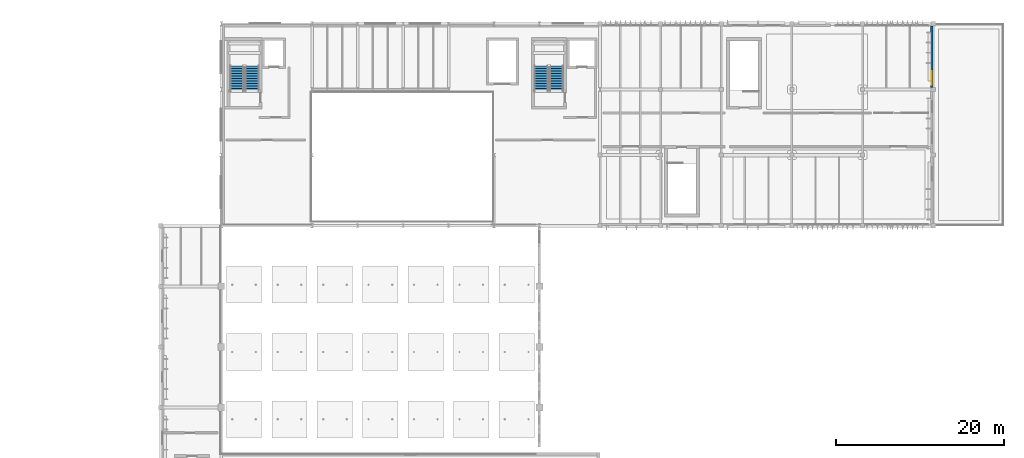
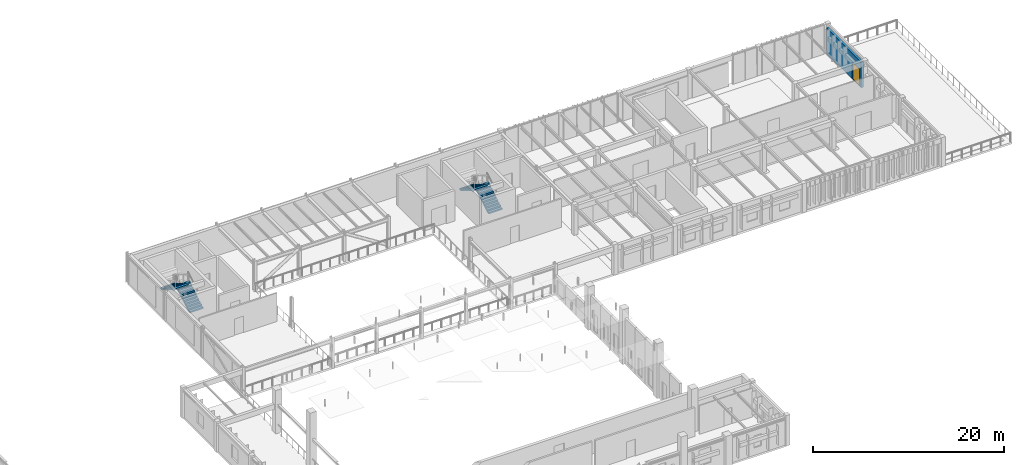
# One storey, part 24 of 44: 4 stair flights, 1 door, 1 wall, 1 opening, 2 elements without a shape of their own.
"""IFC4 building model written with IfcOpenShell, lengths in metres."""

from ifc_helpers import new_model, si_unit, direction, frame, frame_2d, origin, place, context, subcontext, project, spatial, polyline, rectangle, outline, extrude, material, layer, layer_set, type_object, element, fill, aggregate, save


model = new_model("IFC4")

# Units and contexts
model_context = context("Model", 3, precision=1e-05, world=origin(), true_north=direction((0.0, 1.0)))
body_context = subcontext(model_context, "Body", "Model", "MODEL_VIEW")
ifc_project = project(units=[si_unit("LENGTHUNIT", "METRE"), si_unit("AREAUNIT", "SQUARE_METRE"), si_unit("VOLUMEUNIT", "CUBIC_METRE"), si_unit("PLANEANGLEUNIT", "RADIAN"), si_unit("MASSUNIT", "GRAM", prefix="KILO")], contexts=[model_context])

# Site, building, storey
site_placement = place(None, origin())
site = spatial("IfcSite", under=ifc_project, at=site_placement, CompositionType="ELEMENT")
building_placement = place(site_placement, origin())
building = spatial("IfcBuilding", under=site, at=building_placement, Name="Tazoul Stagehouse", CompositionType="ELEMENT")
storey_placement = place(building_placement, frame((0.0, 0.0, 13.199951171875)))
storey = spatial("IfcBuildingStorey", under=building, at=storey_placement, Name="L03", CompositionType="ELEMENT", Elevation=13.199951171875)

# Wall, opening, door
ifc_material_1 = material(Name="Precast concrete C40/50", Category="concrete")
ifc_layer = layer(ifc_material_1, 0.280029296875, Name="Precast concrete C40/50")
ifc_layer_set = layer_set([ifc_layer], Name="Precast concrete C40/50")
wall_type = type_object("IfcWallType", Name="Insulated Precast Acoustic Cladding Wall 280", PredefinedType="SOLIDWALL", material=ifc_layer_set)
wall_placement = place(storey_placement, frame((142.02001953125, 104.2548828125, 0.0), z_axis=(0.0, 0.0, 1.0), x_axis=(0.0, 1.0, 0.0)))
wall = element("IfcWall", 1, at=wall_placement, inside=storey, type_object=wall_type, Name="L03 Wall EW-280 (WALL-V3-E-L03-S3)", PredefinedType="SOLIDWALL", context=body_context, shape_type="SweptSolid", body=[
    extrude(rectangle(XDim=7.2900390625, YDim=0.280029296875, at=frame_2d((3.64501953125, 0.0))), origin(), (0.0, 0.0, 1.0), 3.282958984375),
])
opening_placement = place(wall_placement, frame((0.294921875, 0.0, 0.0)))
opening = element("IfcOpeningElement", 2, at=opening_placement, cuts=wall, Name="Opening TD-03", PredefinedType="OPENING", context=body_context, shape_type="SweptSolid", body=[
    extrude(rectangle(XDim=1.60009765625, YDim=2.199951171875, at=frame_2d((0.800048828125, 1.10009765625))), frame((0.0, 0.159912109375, 0.0), z_axis=(0.0, -1.0, 0.0), x_axis=(1.0, 0.0, 0.0)), (0.0, 0.0, 1.0), 0.320068359375),
])
ifc_material_2 = material(Name="Double Low-E Acoustic Laminated Glass", Category="glass")
door_type = type_object("IfcDoorType", Name="Rehearsal Terrace Glazed Door 1600x2200", OperationType="DOUBLE_DOOR_SINGLE_SWING", PredefinedType="DOOR", material=ifc_material_2)
door_placement = place(opening_placement, origin())
door = element("IfcDoor", 3, at=door_placement, inside=storey, type_object=door_type, Name="L03 Door TD-03 (DR-V3-L03-TER2)", OperationType="SINGLE_SWING_LEFT", OverallHeight=2.199951171875, OverallWidth=1.60009765625, PredefinedType="DOOR", context=body_context, shape_type="SweptSolid", body=[
    extrude(rectangle(XDim=1.60009765625, YDim=2.199951171875, at=frame_2d((0.800048828125, 1.10009765625))), frame((0.0, 0.02490234375, 0.0), z_axis=(0.0, -1.0, 0.0), x_axis=(1.0, 0.0, 0.0)), (0.0, 0.0, 1.0), 0.050048828125),
])
fill(opening, door)

# Stair, stair flights
ifc_material_3 = material(Name="Concrete C40/50", Category="concrete")
stair_type_1 = type_object("IfcStairType", Name="Protected Core Dogleg Stair 4800", PredefinedType="HALF_TURN_STAIR", material=ifc_material_3)
stair_1_placement = place(storey_placement, origin())
stair_1 = element("IfcStair", 4, at=stair_1_placement, inside=storey, type_object=stair_type_1, Name="L03 Core Escape Stair ST-01", PredefinedType="HALF_TURN_STAIR")
stair_flight_type = type_object("IfcStairFlightType", Name="Core Stair Flight W1650", PredefinedType="STRAIGHT", material=ifc_material_3)
stair_flight_1_placement = place(storey_placement, frame((97.425048828125, 103.800048828125, 0.0), z_axis=(0.0, 0.0, 1.0), x_axis=(0.0, 1.0, 0.0)))
stair_flight_1 = element("IfcStairFlight", 5, at=stair_flight_1_placement, type_object=stair_flight_type, Name="ST-01 flight 1", NumberOfRisers=11, NumberOfTreads=10, PredefinedType="STRAIGHT", RiserHeight=0.177272727, TreadLength=0.3, context=body_context, shape_type="SweptSolid", body=[
    extrude(outline(polyline([(0.0, 0.0), (0.0, 0.17724609375), (0.300048828125, 0.17724609375), (0.300048828125, 0.3544921875), (0.60009765625, 0.3544921875), (0.60009765625, 0.53173828125), (0.89990234375, 0.53173828125), (0.89990234375, 0.708984375), (1.199951171875, 0.708984375), (1.199951171875, 0.886474609375), (1.5, 0.886474609375), (1.5, 1.063720703125), (1.800048828125, 1.063720703125), (1.800048828125, 1.240966796875), (2.10009765625, 1.240966796875), (2.10009765625, 1.418212890625), (2.39990234375, 1.418212890625), (2.39990234375, 1.595458984375), (2.699951171875, 1.595458984375), (2.699951171875, 1.772705078125), (3.0, 1.772705078125), (3.0, 1.949951171875), (3.0, 1.5986328125), (0.294677734375, 0.0), (0.0, 0.0)])), frame((0.0, 0.824951171875, 0.0), z_axis=(0.0, -1.0, 0.0), x_axis=(1.0, 0.0, 0.0)), (0.0, 0.0, 1.0), 1.64990234375),
])
stair_flight_2_placement = place(storey_placement, frame((95.625, 106.800048828125, 1.949951171875), z_axis=(0.0, 0.0, 1.0), x_axis=(0.0, -1.0, 0.0)))
stair_flight_2 = element("IfcStairFlight", 6, at=stair_flight_2_placement, type_object=stair_flight_type, Name="ST-01 flight 2", NumberOfRisers=11, NumberOfTreads=10, PredefinedType="STRAIGHT", RiserHeight=0.177272727, TreadLength=0.3, context=body_context, shape_type="SweptSolid", body=[
    extrude(outline(polyline([(0.0, 0.0), (0.0, 0.17724609375), (0.300048828125, 0.17724609375), (0.300048828125, 0.3544921875), (0.60009765625, 0.3544921875), (0.60009765625, 0.53173828125), (0.89990234375, 0.53173828125), (0.89990234375, 0.708984375), (1.199951171875, 0.708984375), (1.199951171875, 0.886474609375), (1.5, 0.886474609375), (1.5, 1.063720703125), (1.800048828125, 1.063720703125), (1.800048828125, 1.240966796875), (2.10009765625, 1.240966796875), (2.10009765625, 1.418212890625), (2.39990234375, 1.418212890625), (2.39990234375, 1.595458984375), (2.699951171875, 1.595458984375), (2.699951171875, 1.772705078125), (3.0, 1.772705078125), (3.0, 1.949951171875), (3.0, 1.5986328125), (0.294677734375, 0.0), (0.0, 0.0)])), frame((0.0, 0.824951171875, 0.0), z_axis=(0.0, -1.0, 0.0), x_axis=(1.0, 0.0, 0.0)), (0.0, 0.0, 1.0), 1.64990234375),
])
aggregate(stair_1, [stair_flight_1, stair_flight_2])

stair_type_2 = type_object("IfcStairType", Name="Protected Core Dogleg Stair 3900", PredefinedType="HALF_TURN_STAIR", material=ifc_material_3)
stair_2_placement = place(storey_placement, origin())
stair_2 = element("IfcStair", 7, at=stair_2_placement, inside=storey, type_object=stair_type_2, Name="L03 Core Escape Stair ST-03", PredefinedType="HALF_TURN_STAIR")
stair_flight_3_placement = place(storey_placement, frame((61.27490234375, 103.800048828125, 0.0), z_axis=(0.0, 0.0, 1.0), x_axis=(0.0, 1.0, 0.0)))
stair_flight_3 = element("IfcStairFlight", 8, at=stair_flight_3_placement, type_object=stair_flight_type, Name="ST-03 flight 1", NumberOfRisers=11, NumberOfTreads=10, PredefinedType="STRAIGHT", RiserHeight=0.177272727, TreadLength=0.3, context=body_context, shape_type="SweptSolid", body=[
    extrude(outline(polyline([(0.0, 0.0), (0.0, 0.17724609375), (0.300048828125, 0.17724609375), (0.300048828125, 0.3544921875), (0.60009765625, 0.3544921875), (0.60009765625, 0.53173828125), (0.89990234375, 0.53173828125), (0.89990234375, 0.708984375), (1.199951171875, 0.708984375), (1.199951171875, 0.886474609375), (1.5, 0.886474609375), (1.5, 1.063720703125), (1.800048828125, 1.063720703125), (1.800048828125, 1.240966796875), (2.10009765625, 1.240966796875), (2.10009765625, 1.418212890625), (2.39990234375, 1.418212890625), (2.39990234375, 1.595458984375), (2.699951171875, 1.595458984375), (2.699951171875, 1.772705078125), (3.0, 1.772705078125), (3.0, 1.949951171875), (3.0, 1.5986328125), (0.294677734375, 0.0), (0.0, 0.0)])), frame((0.0, 0.824951171875, 0.0), z_axis=(0.0, -1.0, 0.0), x_axis=(1.0, 0.0, 0.0)), (0.0, 0.0, 1.0), 1.64990234375),
])
stair_flight_4_placement = place(storey_placement, frame((59.47509765625, 106.800048828125, 1.949951171875), z_axis=(0.0, 0.0, 1.0), x_axis=(0.0, -1.0, 0.0)))
stair_flight_4 = element("IfcStairFlight", 9, at=stair_flight_4_placement, type_object=stair_flight_type, Name="ST-03 flight 2", NumberOfRisers=11, NumberOfTreads=10, PredefinedType="STRAIGHT", RiserHeight=0.177272727, TreadLength=0.3, context=body_context, shape_type="SweptSolid", body=[
    extrude(outline(polyline([(0.0, 0.0), (0.0, 0.17724609375), (0.300048828125, 0.17724609375), (0.300048828125, 0.3544921875), (0.60009765625, 0.3544921875), (0.60009765625, 0.53173828125), (0.89990234375, 0.53173828125), (0.89990234375, 0.708984375), (1.199951171875, 0.708984375), (1.199951171875, 0.886474609375), (1.5, 0.886474609375), (1.5, 1.063720703125), (1.800048828125, 1.063720703125), (1.800048828125, 1.240966796875), (2.10009765625, 1.240966796875), (2.10009765625, 1.418212890625), (2.39990234375, 1.418212890625), (2.39990234375, 1.595458984375), (2.699951171875, 1.595458984375), (2.699951171875, 1.772705078125), (3.0, 1.772705078125), (3.0, 1.949951171875), (3.0, 1.5986328125), (0.294677734375, 0.0), (0.0, 0.0)])), frame((0.0, 0.824951171875, 0.0), z_axis=(0.0, -1.0, 0.0), x_axis=(1.0, 0.0, 0.0)), (0.0, 0.0, 1.0), 1.64990234375),
])
aggregate(stair_2, [stair_flight_3, stair_flight_4])

save(model, "model.ifc")
